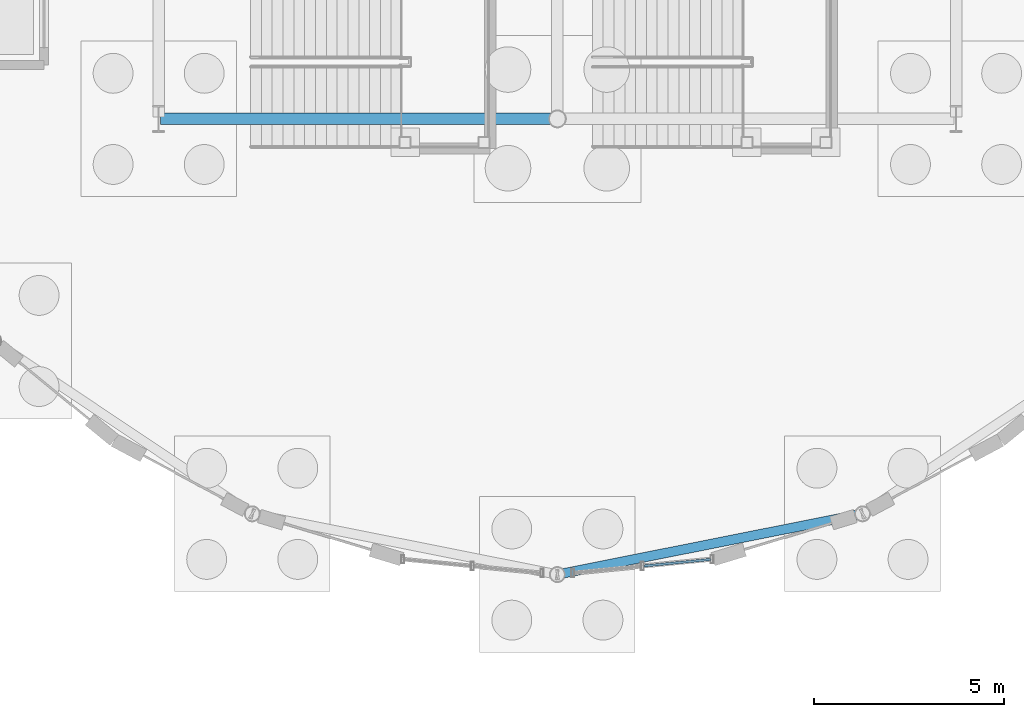
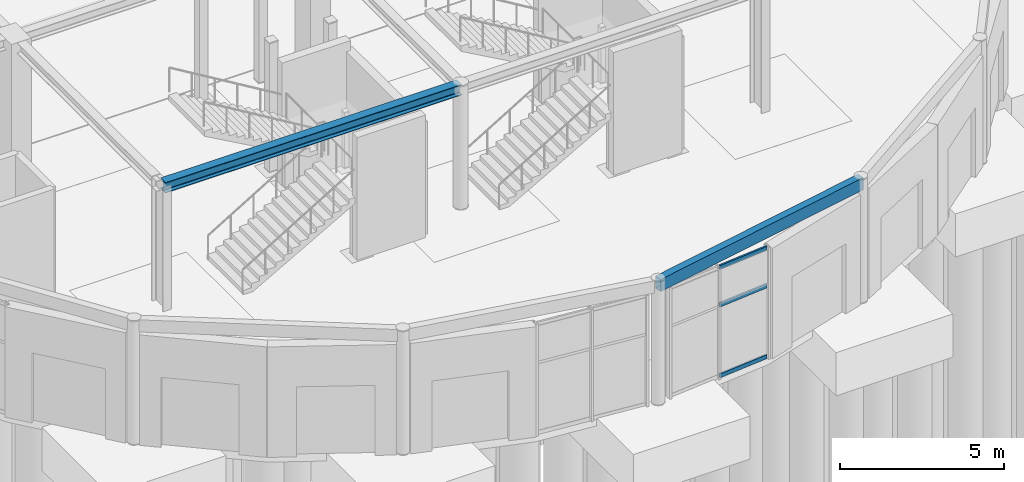
# One storey, part 67 of 160: 3 members, 2 beams, 1 element without a shape of its own.
"""IFC4 building model written with IfcOpenShell, lengths in metres."""

from ifc_helpers import new_model, si_unit, direction, frame, origin, origin_2d, place, context, subcontext, project, spatial, hollow_rectangle, i_section, extrude, material, layer, layer_set, material_profile, profile_set, type_object, element, aggregate, save


model = new_model("IFC4")

# Units and contexts
model_context = context("Model", 3, precision=1e-05, world=origin(), true_north=direction((0.0, 1.0)))
body_context = subcontext(model_context, "Body", "Model", "MODEL_VIEW")
ifc_project = project(units=[si_unit("LENGTHUNIT", "METRE"), si_unit("AREAUNIT", "SQUARE_METRE"), si_unit("VOLUMEUNIT", "CUBIC_METRE"), si_unit("PLANEANGLEUNIT", "RADIAN"), si_unit("MASSUNIT", "GRAM", prefix="KILO")], contexts=[model_context])

# Site, building, storey
site_placement = place(None, origin())
site = spatial("IfcSite", under=ifc_project, at=site_placement, CompositionType="ELEMENT")
building_placement = place(site_placement, origin())
building = spatial("IfcBuilding", under=site, at=building_placement, Name="Marlcrest Central Station", CompositionType="ELEMENT")
storey_placement = place(building_placement, origin())
storey = spatial("IfcBuildingStorey", under=building, at=storey_placement, Name="L00", CompositionType="ELEMENT", Elevation=0.0)

# Beams
ifc_material_1 = material(Name="Steel S355", Category="steel")
ifc_material_profile_1 = material_profile(ifc_material_1, i_section(OverallWidth=0.300048828125, OverallDepth=0.389892578125, WebThickness=0.010986328125, FlangeThickness=0.01904296875, FilletRadius=0.027099609375, at=origin_2d()), Name="HEA 400")
ifc_profile_set_1 = profile_set([ifc_material_profile_1], Name="Steel S355")
beam_type_1 = type_object("IfcBeamType", Name="BM-08", PredefinedType="BEAM", material=ifc_profile_set_1)
beam_1_placement = place(storey_placement, frame((97.550048828125, 13.5, 4.409912109375), z_axis=(1.0, 0.0, 0.0), x_axis=(0.0, 1.0, 0.0)))
element("IfcBeam", 1, at=beam_1_placement, inside=storey, type_object=beam_type_1, Name="bm-BM-08-L00-01331", PredefinedType="BEAM", context=body_context, shape_type="SweptSolid", body=[
    extrude(i_section(OverallWidth=0.300048828125, OverallDepth=0.389892578125, WebThickness=0.010986328125, FlangeThickness=0.01904296875, FilletRadius=0.027099609375, at=origin_2d()), origin(), (0.0, 0.0, 1.0), 10.39990234375),
])
ifc_material_profile_2 = material_profile(ifc_material_1, hollow_rectangle(XDim=0.25, YDim=0.449951171875, WallThickness=0.01611328125, at=origin_2d()), Name="RHS 450x250x16")
ifc_profile_set_2 = profile_set([ifc_material_profile_2], Name="Steel S355")
beam_type_2 = type_object("IfcBeamType", Name="SP-02", PredefinedType="SPANDREL", material=ifc_profile_set_2)
beam_2_placement = place(storey_placement, frame((108.0, 1.5, 4.3798828125), z_axis=(0.980769316421, 0.19517056122, 0.0), x_axis=(-0.19517056122, 0.980769316421, 0.0)))
element("IfcBeam", 2, at=beam_2_placement, inside=storey, type_object=beam_type_2, Name="bm-SP-02-L00-01327", PredefinedType="SPANDREL", context=body_context, shape_type="SweptSolid", body=[
    extrude(hollow_rectangle(XDim=0.25, YDim=0.449951171875, WallThickness=0.01611328125, at=origin_2d()), origin(), (0.0, 0.0, 1.0), 8.193359375),
])

# Curtain wall, members
ifc_material_2 = material(Name="Anodised aluminium and hurricane laminated glass", Category="aluminium")
ifc_layer = layer(ifc_material_2, 0.219970703125, Name="CW-U1")
ifc_layer_set = layer_set([ifc_layer], Name="Anodised aluminium and hurricane laminated glass")
curtain_wall_type = type_object("IfcCurtainWallType", Name="CW-U1", PredefinedType="USERDEFINED", material=ifc_layer_set)
curtain_wall_placement = place(storey_placement, origin())
curtain_wall = element("IfcCurtainWall", 3, at=curtain_wall_placement, inside=storey, type_object=curtain_wall_type, Name="cw-L00-0005", ObjectType="UNITISED_CURTAIN_WALL", PredefinedType="USERDEFINED")
ifc_material_3 = material(Name="Anodised aluminium 6063-T6", Category="aluminium")
ifc_material_profile_3 = material_profile(ifc_material_3, hollow_rectangle(XDim=0.06005859375, YDim=0.14990234375, WallThickness=0.00390625, at=origin_2d()), Name="AA-RHS 150x60x4")
ifc_profile_set_3 = profile_set([ifc_material_profile_3], Name="Anodised aluminium 6063-T6")
member_type = type_object("IfcMemberType", Name="TR-01", PredefinedType="USERDEFINED", material=ifc_profile_set_3)
member_1_placement = place(storey_placement, frame((112.038818359375, 1.898193359375, 0.0400390625), z_axis=(-0.995180877968, -0.098056209013, 0.0), x_axis=(0.098056209013, -0.995180877968, 0.0)))
member_1 = element("IfcMember", 4, at=member_1_placement, type_object=member_type, Name="cw-L00-0005-tr-0-sill", ObjectType="TRANSOM", PredefinedType="USERDEFINED", context=body_context, shape_type="SweptSolid", body=[
    extrude(hollow_rectangle(XDim=0.06005859375, YDim=0.14990234375, WallThickness=0.00390625, at=origin_2d()), origin(), (0.0, 0.0, 1.0), 1.770263671875),
])
member_2_placement = place(storey_placement, frame((112.038818359375, 1.898193359375, 2.6650390625), z_axis=(-0.995180877968, -0.098056209013, 0.0), x_axis=(0.098056209013, -0.995180877968, 0.0)))
member_2 = element("IfcMember", 5, at=member_2_placement, type_object=member_type, Name="cw-L00-0005-tr-0-mid", ObjectType="TRANSOM", PredefinedType="USERDEFINED", context=body_context, shape_type="SweptSolid", body=[
    extrude(hollow_rectangle(XDim=0.06005859375, YDim=0.14990234375, WallThickness=0.00390625, at=origin_2d()), origin(), (0.0, 0.0, 1.0), 1.770263671875),
])
member_3_placement = place(storey_placement, frame((112.038818359375, 1.898193359375, 4.06005859375), z_axis=(-0.995180877968, -0.098056209013, 0.0), x_axis=(0.098056209013, -0.995180877968, 0.0)))
member_3 = element("IfcMember", 6, at=member_3_placement, type_object=member_type, Name="cw-L00-0005-tr-0-head", ObjectType="TRANSOM", PredefinedType="USERDEFINED", context=body_context, shape_type="SweptSolid", body=[
    extrude(hollow_rectangle(XDim=0.06005859375, YDim=0.14990234375, WallThickness=0.00390625, at=origin_2d()), origin(), (0.0, 0.0, 1.0), 1.770263671875),
])
aggregate(curtain_wall, [member_1, member_2, member_3])

save(model, "model.ifc")
